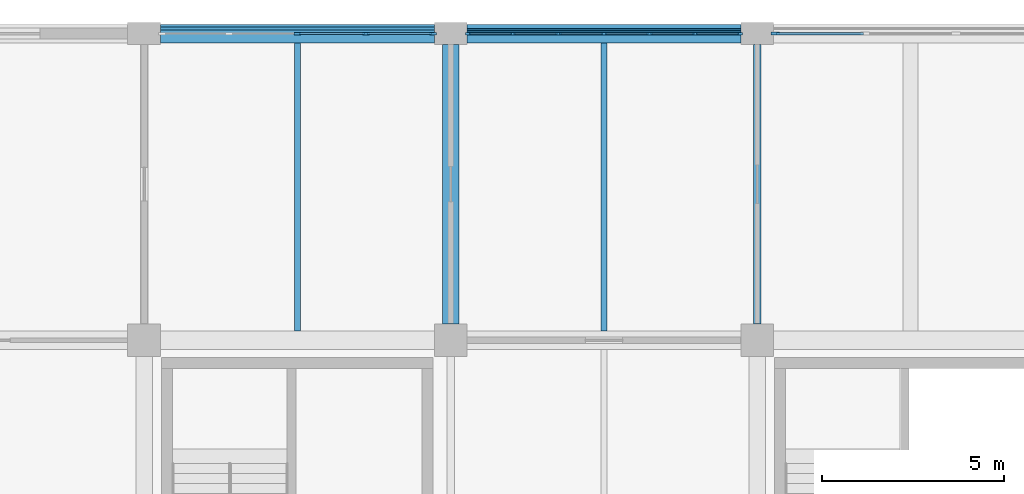
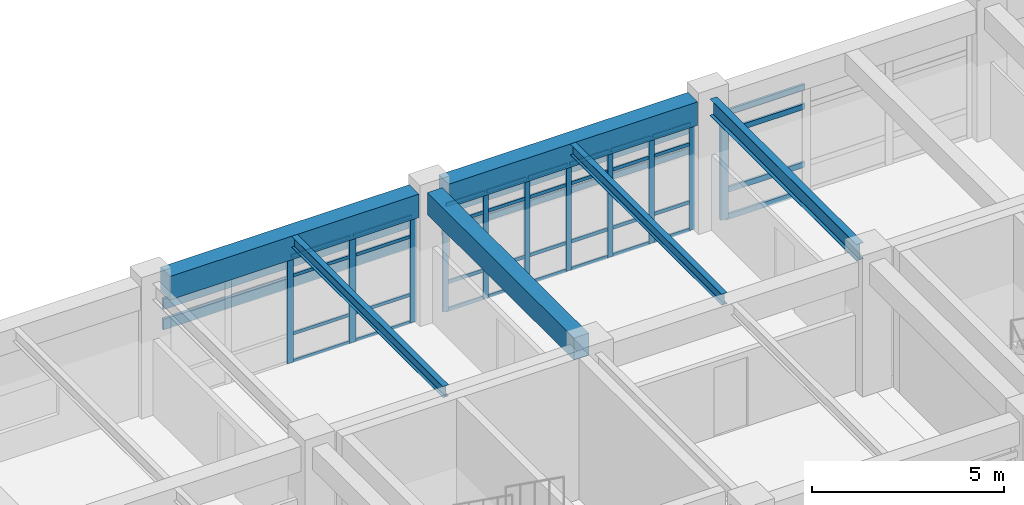
# One storey, part 42 of 99: 51 members, 6 beams, 3 elements without a shape of their own.
"""IFC4 building model written with IfcOpenShell, lengths in metres."""

from ifc_helpers import new_model, si_unit, direction, frame, origin, origin_2d, place, context, subcontext, project, spatial, rectangle, i_section, extrude, material, layer, layer_set, material_profile, profile_set, type_object, element, aggregate, save


model = new_model("IFC4")

# Units and contexts
model_context = context("Model", 3, precision=1e-05, world=origin(), true_north=direction((0.0, 1.0)))
body_context = subcontext(model_context, "Body", "Model", "MODEL_VIEW")
ifc_project = project(units=[si_unit("LENGTHUNIT", "METRE"), si_unit("AREAUNIT", "SQUARE_METRE"), si_unit("VOLUMEUNIT", "CUBIC_METRE"), si_unit("PLANEANGLEUNIT", "RADIAN"), si_unit("MASSUNIT", "GRAM", prefix="KILO")], contexts=[model_context])

# Site, building, storey
site_placement = place(None, origin())
site = spatial("IfcSite", under=ifc_project, at=site_placement, CompositionType="ELEMENT")
building_placement = place(site_placement, origin())
building = spatial("IfcBuilding", under=site, at=building_placement, Name="Porcellanite Civic Hall", CompositionType="ELEMENT")
storey_placement = place(building_placement, frame((0.0, 0.0, 5.760009765625)))
storey = spatial("IfcBuildingStorey", under=building, at=storey_placement, Name="L01", CompositionType="ELEMENT", Elevation=5.760009765625)

# Beams
ifc_material_1 = material(Name="Concrete N50 (50 MPa)", Category="concrete")
ifc_material_profile_1 = material_profile(ifc_material_1, rectangle(XDim=0.449951171875, YDim=0.699951171875, at=origin_2d()), Name="RC-450x700")
ifc_profile_set_1 = profile_set([ifc_material_profile_1], Name="Concrete N50 (50 MPa)")
beam_type_1 = type_object("IfcBeamType", Name="BM-RC700", PredefinedType="BEAM", material=ifc_profile_set_1)
beam_1_placement = place(storey_placement, frame((100.800048828125, 109.6494140625, 3.85009765625), z_axis=(0.0, 1.0, 0.0), x_axis=(-1.0, 0.0, 0.0)))
element("IfcBeam", 1, at=beam_1_placement, inside=storey, type_object=beam_type_1, Name="Beam Y L01 13-14", PredefinedType="BEAM", context=body_context, shape_type="SweptSolid", body=[
    extrude(rectangle(XDim=0.449951171875, YDim=0.699951171875, at=origin_2d()), origin(), (0.0, 0.0, 1.0), 7.651123046875),
])
ifc_material_2 = material(Name="Concrete N50 (50 MPa)", Category="concrete")
ifc_material_profile_2 = material_profile(ifc_material_2, rectangle(XDim=0.5, YDim=0.75, at=origin_2d()), Name="RC-500x750")
ifc_profile_set_2 = profile_set([ifc_material_profile_2], Name="Concrete N50 (50 MPa)")
beam_type_2 = type_object("IfcBeamType", Name="BM-RC750", PredefinedType="SPANDREL", material=ifc_profile_set_2)
for number, where, z_axis, x_axis, name in (
    (2, (92.849609375, 117.60009765625, 3.824951171875), (1.0, 0.0, 0.0), (0.0, 1.0, 0.0), "Beam X L01 12-15"),
    (3, (101.24951171875, 117.60009765625, 3.824951171875), (1.0, 0.0, 0.0), (0.0, 1.0, 0.0), "Beam X L01 13-15"),
):
    element("IfcBeam", number, at=place(storey_placement, frame(where, z_axis=z_axis, x_axis=x_axis)), inside=storey, type_object=beam_type_2, Name=name, PredefinedType="SPANDREL", context=body_context, shape_type="SweptSolid", body=[
        extrude(rectangle(XDim=0.5, YDim=0.75, at=origin_2d()), origin(), (0.0, 0.0, 1.0), 7.5009765625),
    ])

# Curtain wall, member
ifc_material_3 = material(Name="Anodised aluminium and solar laminated glass", Category="aluminium")
ifc_layer_1 = layer(ifc_material_3, 0.179931640625)
ifc_layer_set_1 = layer_set([ifc_layer_1], Name="Anodised aluminium and solar laminated glass")
curtain_wall_type_1 = type_object("IfcCurtainWallType", Name="CW-SYS08", PredefinedType="NOTDEFINED", material=ifc_layer_set_1)
curtain_wall_1_placement = place(storey_placement, origin())
curtain_wall_1 = element("IfcCurtainWall", 4, at=curtain_wall_1_placement, inside=storey, type_object=curtain_wall_type_1, Name="Curtain wall CW-106", PredefinedType="NOTDEFINED")
ifc_material_4 = material(Name="Anodised aluminium 6063-T6", Category="aluminium")
ifc_material_profile_3 = material_profile(ifc_material_4, rectangle(XDim=0.080078125, YDim=0.239990234375, at=origin_2d()), Name="AL-80x240")
ifc_profile_set_3 = profile_set([ifc_material_profile_3], Name="Anodised aluminium 6063-T6")
member_type_1 = type_object("IfcMemberType", Name="CWM-01", PredefinedType="MULLION", material=ifc_profile_set_3)
member_1_placement = place(storey_placement, frame((109.69091796875, 117.60009765625, 0.0), z_axis=(0.0, 0.0, 1.0), x_axis=(0.0, 1.0, 0.0)))
member_1 = element("IfcMember", 5, at=member_1_placement, type_object=member_type_1, Name="CW-106 mullion 1", PredefinedType="MULLION", context=body_context, shape_type="SweptSolid", body=[
    extrude(rectangle(XDim=0.080078125, YDim=0.239990234375, at=origin_2d()), origin(), (0.0, 0.0, 1.0), 3.39990234375),
])

# Curtain wall, members
ifc_material_5 = material(Name="Anodised aluminium and solar laminated glass", Category="aluminium")
ifc_layer_2 = layer(ifc_material_5, 0.179931640625)
ifc_layer_set_2 = layer_set([ifc_layer_2], Name="Anodised aluminium and solar laminated glass")
curtain_wall_type_2 = type_object("IfcCurtainWallType", Name="CW-SYS04", PredefinedType="NOTDEFINED", material=ifc_layer_set_2)
curtain_wall_2_placement = place(storey_placement, origin())
curtain_wall_2 = element("IfcCurtainWall", 6, at=curtain_wall_2_placement, inside=storey, type_object=curtain_wall_type_2, Name="Curtain wall CW-097", PredefinedType="NOTDEFINED")
ifc_material_6 = material(Name="Anodised aluminium 6063-T6", Category="aluminium")
ifc_material_profile_4 = material_profile(ifc_material_6, rectangle(XDim=0.074951171875, YDim=0.18994140625, at=origin_2d()), Name="AL-75x190")
ifc_profile_set_4 = profile_set([ifc_material_profile_4], Name="Anodised aluminium 6063-T6")
member_type_2 = type_object("IfcMemberType", Name="CWM-04", PredefinedType="MULLION", material=ifc_profile_set_4)
member_2_placement = place(storey_placement, frame((96.60009765625, 117.60009765625, 0.0), z_axis=(0.0, 0.0, 1.0), x_axis=(0.0, 1.0, 0.0)))
member_2 = element("IfcMember", 7, at=member_2_placement, type_object=member_type_2, Name="CW-097 mullion 3", PredefinedType="MULLION", context=body_context, shape_type="SweptSolid", body=[
    extrude(rectangle(XDim=0.074951171875, YDim=0.18994140625, at=origin_2d()), origin(), (0.0, 0.0, 1.0), 3.39990234375),
])
member_3_placement = place(storey_placement, frame((98.474609375, 117.60009765625, 0.0), z_axis=(0.0, 0.0, 1.0), x_axis=(0.0, 1.0, 0.0)))
member_3 = element("IfcMember", 8, at=member_3_placement, type_object=member_type_2, Name="CW-097 mullion 4", PredefinedType="MULLION", context=body_context, shape_type="SweptSolid", body=[
    extrude(rectangle(XDim=0.074951171875, YDim=0.18994140625, at=origin_2d()), origin(), (0.0, 0.0, 1.0), 3.39990234375),
])
member_4_placement = place(storey_placement, frame((100.3115234375, 117.60009765625, 0.0), z_axis=(0.0, 0.0, 1.0), x_axis=(0.0, 1.0, 0.0)))
member_4 = element("IfcMember", 9, at=member_4_placement, type_object=member_type_2, Name="CW-097 mullion 5", PredefinedType="MULLION", context=body_context, shape_type="SweptSolid", body=[
    extrude(rectangle(XDim=0.074951171875, YDim=0.18994140625, at=origin_2d()), origin(), (0.0, 0.0, 1.0), 3.39990234375),
])

ifc_material_7 = material(Name="Anodised aluminium and solar laminated glass", Category="aluminium")
ifc_layer_3 = layer(ifc_material_7, 0.179931640625)
ifc_layer_set_3 = layer_set([ifc_layer_3], Name="Anodised aluminium and solar laminated glass")
curtain_wall_type_3 = type_object("IfcCurtainWallType", Name="CW-SYS07", PredefinedType="NOTDEFINED", material=ifc_layer_set_3)
curtain_wall_3_placement = place(storey_placement, origin())
curtain_wall_3 = element("IfcCurtainWall", 10, at=curtain_wall_3_placement, inside=storey, type_object=curtain_wall_type_3, Name="Curtain wall CW-105", PredefinedType="NOTDEFINED")
ifc_material_8 = material(Name="Anodised aluminium 6063-T6", Category="aluminium")
ifc_material_profile_5 = material_profile(ifc_material_8, rectangle(XDim=0.06005859375, YDim=0.159912109375, at=origin_2d()), Name="AL-60x160")
ifc_profile_set_5 = profile_set([ifc_material_profile_5], Name="Anodised aluminium 6063-T6")
member_type_3 = type_object("IfcMemberType", Name="CWM-07", PredefinedType="MULLION", material=ifc_profile_set_5)
member_5_placement = place(storey_placement, frame((101.281005859375, 117.60009765625, 0.0), z_axis=(0.0, 0.0, 1.0), x_axis=(0.0, 1.0, 0.0)))
member_5 = element("IfcMember", 11, at=member_5_placement, type_object=member_type_3, Name="CW-105 mullion 1", PredefinedType="MULLION", context=body_context, shape_type="SweptSolid", body=[
    extrude(rectangle(XDim=0.06005859375, YDim=0.159912109375, at=origin_2d()), origin(), (0.0, 0.0, 1.0), 3.39990234375),
])
member_6_placement = place(storey_placement, frame((102.500732421875, 117.60009765625, 0.0), z_axis=(0.0, 0.0, 1.0), x_axis=(0.0, 1.0, 0.0)))
member_6 = element("IfcMember", 12, at=member_6_placement, type_object=member_type_3, Name="CW-105 mullion 2", PredefinedType="MULLION", context=body_context, shape_type="SweptSolid", body=[
    extrude(rectangle(XDim=0.06005859375, YDim=0.159912109375, at=origin_2d()), origin(), (0.0, 0.0, 1.0), 3.39990234375),
])
member_7_placement = place(storey_placement, frame((103.750244140625, 117.60009765625, 0.0), z_axis=(0.0, 0.0, 1.0), x_axis=(0.0, 1.0, 0.0)))
member_7 = element("IfcMember", 13, at=member_7_placement, type_object=member_type_3, Name="CW-105 mullion 3", PredefinedType="MULLION", context=body_context, shape_type="SweptSolid", body=[
    extrude(rectangle(XDim=0.06005859375, YDim=0.159912109375, at=origin_2d()), origin(), (0.0, 0.0, 1.0), 3.39990234375),
])
member_8_placement = place(storey_placement, frame((105.0, 117.60009765625, 0.0), z_axis=(0.0, 0.0, 1.0), x_axis=(0.0, 1.0, 0.0)))
member_8 = element("IfcMember", 14, at=member_8_placement, type_object=member_type_3, Name="CW-105 mullion 4", PredefinedType="MULLION", context=body_context, shape_type="SweptSolid", body=[
    extrude(rectangle(XDim=0.06005859375, YDim=0.159912109375, at=origin_2d()), origin(), (0.0, 0.0, 1.0), 3.39990234375),
])
member_9_placement = place(storey_placement, frame((106.249755859375, 117.60009765625, 0.0), z_axis=(0.0, 0.0, 1.0), x_axis=(0.0, 1.0, 0.0)))
member_9 = element("IfcMember", 15, at=member_9_placement, type_object=member_type_3, Name="CW-105 mullion 5", PredefinedType="MULLION", context=body_context, shape_type="SweptSolid", body=[
    extrude(rectangle(XDim=0.06005859375, YDim=0.159912109375, at=origin_2d()), origin(), (0.0, 0.0, 1.0), 3.39990234375),
])
member_10_placement = place(storey_placement, frame((107.499267578125, 117.60009765625, 0.0), z_axis=(0.0, 0.0, 1.0), x_axis=(0.0, 1.0, 0.0)))
member_10 = element("IfcMember", 16, at=member_10_placement, type_object=member_type_3, Name="CW-105 mullion 6", PredefinedType="MULLION", context=body_context, shape_type="SweptSolid", body=[
    extrude(rectangle(XDim=0.06005859375, YDim=0.159912109375, at=origin_2d()), origin(), (0.0, 0.0, 1.0), 3.39990234375),
])
member_11_placement = place(storey_placement, frame((108.718994140625, 117.60009765625, 0.0), z_axis=(0.0, 0.0, 1.0), x_axis=(0.0, 1.0, 0.0)))
member_11 = element("IfcMember", 17, at=member_11_placement, type_object=member_type_3, Name="CW-105 mullion 7", PredefinedType="MULLION", context=body_context, shape_type="SweptSolid", body=[
    extrude(rectangle(XDim=0.06005859375, YDim=0.159912109375, at=origin_2d()), origin(), (0.0, 0.0, 1.0), 3.39990234375),
])

# Member
ifc_material_9 = material(Name="Anodised aluminium 6063-T6", Category="aluminium")
ifc_material_profile_6 = material_profile(ifc_material_9, rectangle(XDim=0.070068359375, YDim=0.175048828125, at=origin_2d()), Name="AL-70x175")
ifc_profile_set_6 = profile_set([ifc_material_profile_6], Name="Anodised aluminium 6063-T6")
member_type_4 = type_object("IfcMemberType", Name="CWT-01", PredefinedType="USERDEFINED", material=ifc_profile_set_6)
member_12_placement = place(storey_placement, frame((109.73095703125, 117.60009765625, 0.034912109375), z_axis=(1.0, 0.0, 0.0), x_axis=(0.0, 1.0, 0.0)))
member_12 = element("IfcMember", 18, at=member_12_placement, type_object=member_type_4, Name="CW-106 transom 1.1", ObjectType="TRANSOM", PredefinedType="USERDEFINED", context=body_context, shape_type="SweptSolid", body=[
    extrude(rectangle(XDim=0.070068359375, YDim=0.175048828125, at=origin_2d()), origin(), (0.0, 0.0, 1.0), 2.37939453125),
])

member_13_placement = place(storey_placement, frame((109.73095703125, 117.60009765625, 0.89990234375), z_axis=(1.0, 0.0, 0.0), x_axis=(0.0, 1.0, 0.0)))
member_13 = element("IfcMember", 19, at=member_13_placement, type_object=member_type_4, Name="CW-106 transom 1.2", ObjectType="TRANSOM", PredefinedType="USERDEFINED", context=body_context, shape_type="SweptSolid", body=[
    extrude(rectangle(XDim=0.070068359375, YDim=0.175048828125, at=origin_2d()), origin(), (0.0, 0.0, 1.0), 2.37939453125),
])

member_14_placement = place(storey_placement, frame((109.73095703125, 117.60009765625, 2.75), z_axis=(1.0, 0.0, 0.0), x_axis=(0.0, 1.0, 0.0)))
member_14 = element("IfcMember", 20, at=member_14_placement, type_object=member_type_4, Name="CW-106 transom 1.3", ObjectType="TRANSOM", PredefinedType="USERDEFINED", context=body_context, shape_type="SweptSolid", body=[
    extrude(rectangle(XDim=0.070068359375, YDim=0.175048828125, at=origin_2d()), origin(), (0.0, 0.0, 1.0), 2.37939453125),
])

member_15_placement = place(storey_placement, frame((109.73095703125, 117.60009765625, 3.364990234375), z_axis=(1.0, 0.0, 0.0), x_axis=(0.0, 1.0, 0.0)))
member_15 = element("IfcMember", 21, at=member_15_placement, type_object=member_type_4, Name="CW-106 transom 1.4", ObjectType="TRANSOM", PredefinedType="USERDEFINED", context=body_context, shape_type="SweptSolid", body=[
    extrude(rectangle(XDim=0.070068359375, YDim=0.175048828125, at=origin_2d()), origin(), (0.0, 0.0, 1.0), 2.37939453125),
])

aggregate(curtain_wall_1, [member_1, member_12, member_13, member_14, member_15])

ifc_material_10 = material(Name="Anodised aluminium 6063-T6", Category="aluminium")
ifc_material_profile_7 = material_profile(ifc_material_10, rectangle(XDim=0.054931640625, YDim=0.10009765625, at=origin_2d()), Name="AL-55x100")
ifc_profile_set_7 = profile_set([ifc_material_profile_7], Name="Anodised aluminium 6063-T6")
member_type_5 = type_object("IfcMemberType", Name="CWT-05", PredefinedType="USERDEFINED", material=ifc_profile_set_7)
member_16_placement = place(storey_placement, frame((96.637451171875, 117.60009765625, 0.027587890625), z_axis=(1.0, 0.0, 0.0), x_axis=(0.0, 1.0, 0.0)))
member_16 = element("IfcMember", 22, at=member_16_placement, type_object=member_type_5, Name="CW-097 transom 3.1", ObjectType="TRANSOM", PredefinedType="USERDEFINED", context=body_context, shape_type="SweptSolid", body=[
    extrude(rectangle(XDim=0.054931640625, YDim=0.10009765625, at=origin_2d()), origin(), (0.0, 0.0, 1.0), 1.799560546875),
])

member_17_placement = place(storey_placement, frame((96.637451171875, 117.60009765625, 0.89990234375), z_axis=(1.0, 0.0, 0.0), x_axis=(0.0, 1.0, 0.0)))
member_17 = element("IfcMember", 23, at=member_17_placement, type_object=member_type_5, Name="CW-097 transom 3.2", ObjectType="TRANSOM", PredefinedType="USERDEFINED", context=body_context, shape_type="SweptSolid", body=[
    extrude(rectangle(XDim=0.054931640625, YDim=0.10009765625, at=origin_2d()), origin(), (0.0, 0.0, 1.0), 1.799560546875),
])

member_18_placement = place(storey_placement, frame((96.637451171875, 117.60009765625, 2.75), z_axis=(1.0, 0.0, 0.0), x_axis=(0.0, 1.0, 0.0)))
member_18 = element("IfcMember", 24, at=member_18_placement, type_object=member_type_5, Name="CW-097 transom 3.3", ObjectType="TRANSOM", PredefinedType="USERDEFINED", context=body_context, shape_type="SweptSolid", body=[
    extrude(rectangle(XDim=0.054931640625, YDim=0.10009765625, at=origin_2d()), origin(), (0.0, 0.0, 1.0), 1.799560546875),
])

member_19_placement = place(storey_placement, frame((96.637451171875, 117.60009765625, 3.37255859375), z_axis=(1.0, 0.0, 0.0), x_axis=(0.0, 1.0, 0.0)))
member_19 = element("IfcMember", 25, at=member_19_placement, type_object=member_type_5, Name="CW-097 transom 3.4", ObjectType="TRANSOM", PredefinedType="USERDEFINED", context=body_context, shape_type="SweptSolid", body=[
    extrude(rectangle(XDim=0.054931640625, YDim=0.10009765625, at=origin_2d()), origin(), (0.0, 0.0, 1.0), 1.799560546875),
])

member_20_placement = place(storey_placement, frame((98.511962890625, 117.60009765625, 0.027587890625), z_axis=(1.0, 0.0, 0.0), x_axis=(0.0, 1.0, 0.0)))
member_20 = element("IfcMember", 26, at=member_20_placement, type_object=member_type_5, Name="CW-097 transom 4.1", ObjectType="TRANSOM", PredefinedType="USERDEFINED", context=body_context, shape_type="SweptSolid", body=[
    extrude(rectangle(XDim=0.054931640625, YDim=0.10009765625, at=origin_2d()), origin(), (0.0, 0.0, 1.0), 1.761962890625),
])

member_21_placement = place(storey_placement, frame((98.511962890625, 117.60009765625, 0.89990234375), z_axis=(1.0, 0.0, 0.0), x_axis=(0.0, 1.0, 0.0)))
member_21 = element("IfcMember", 27, at=member_21_placement, type_object=member_type_5, Name="CW-097 transom 4.2", ObjectType="TRANSOM", PredefinedType="USERDEFINED", context=body_context, shape_type="SweptSolid", body=[
    extrude(rectangle(XDim=0.054931640625, YDim=0.10009765625, at=origin_2d()), origin(), (0.0, 0.0, 1.0), 1.761962890625),
])

member_22_placement = place(storey_placement, frame((98.511962890625, 117.60009765625, 2.75), z_axis=(1.0, 0.0, 0.0), x_axis=(0.0, 1.0, 0.0)))
member_22 = element("IfcMember", 28, at=member_22_placement, type_object=member_type_5, Name="CW-097 transom 4.3", ObjectType="TRANSOM", PredefinedType="USERDEFINED", context=body_context, shape_type="SweptSolid", body=[
    extrude(rectangle(XDim=0.054931640625, YDim=0.10009765625, at=origin_2d()), origin(), (0.0, 0.0, 1.0), 1.761962890625),
])

member_23_placement = place(storey_placement, frame((98.511962890625, 117.60009765625, 3.37255859375), z_axis=(1.0, 0.0, 0.0), x_axis=(0.0, 1.0, 0.0)))
member_23 = element("IfcMember", 29, at=member_23_placement, type_object=member_type_5, Name="CW-097 transom 4.4", ObjectType="TRANSOM", PredefinedType="USERDEFINED", context=body_context, shape_type="SweptSolid", body=[
    extrude(rectangle(XDim=0.054931640625, YDim=0.10009765625, at=origin_2d()), origin(), (0.0, 0.0, 1.0), 1.761962890625),
])

aggregate(curtain_wall_2, [member_2, member_3, member_4, member_16, member_17, member_18, member_19, member_20, member_21, member_22, member_23])

ifc_material_11 = material(Name="Anodised aluminium 6063-T6", Category="aluminium")
ifc_material_profile_8 = material_profile(ifc_material_11, rectangle(XDim=0.050048828125, YDim=0.110107421875, at=origin_2d()), Name="AL-50x110")
ifc_profile_set_8 = profile_set([ifc_material_profile_8], Name="Anodised aluminium 6063-T6")
member_type_6 = type_object("IfcMemberType", Name="CWT-07", PredefinedType="USERDEFINED", material=ifc_profile_set_8)
member_24_placement = place(storey_placement, frame((101.31103515625, 117.60009765625, 0.02490234375), z_axis=(1.0, 0.0, 0.0), x_axis=(0.0, 1.0, 0.0)))
member_24 = element("IfcMember", 30, at=member_24_placement, type_object=member_type_6, Name="CW-105 transom 1.1", ObjectType="TRANSOM", PredefinedType="USERDEFINED", context=body_context, shape_type="SweptSolid", body=[
    extrude(rectangle(XDim=0.050048828125, YDim=0.110107421875, at=origin_2d()), origin(), (0.0, 0.0, 1.0), 1.15966796875),
])

member_25_placement = place(storey_placement, frame((101.31103515625, 117.60009765625, 0.89990234375), z_axis=(1.0, 0.0, 0.0), x_axis=(0.0, 1.0, 0.0)))
member_25 = element("IfcMember", 31, at=member_25_placement, type_object=member_type_6, Name="CW-105 transom 1.2", ObjectType="TRANSOM", PredefinedType="USERDEFINED", context=body_context, shape_type="SweptSolid", body=[
    extrude(rectangle(XDim=0.050048828125, YDim=0.110107421875, at=origin_2d()), origin(), (0.0, 0.0, 1.0), 1.15966796875),
])

member_26_placement = place(storey_placement, frame((101.31103515625, 117.60009765625, 2.75), z_axis=(1.0, 0.0, 0.0), x_axis=(0.0, 1.0, 0.0)))
member_26 = element("IfcMember", 32, at=member_26_placement, type_object=member_type_6, Name="CW-105 transom 1.3", ObjectType="TRANSOM", PredefinedType="USERDEFINED", context=body_context, shape_type="SweptSolid", body=[
    extrude(rectangle(XDim=0.050048828125, YDim=0.110107421875, at=origin_2d()), origin(), (0.0, 0.0, 1.0), 1.15966796875),
])

member_27_placement = place(storey_placement, frame((101.31103515625, 117.60009765625, 3.375), z_axis=(1.0, 0.0, 0.0), x_axis=(0.0, 1.0, 0.0)))
member_27 = element("IfcMember", 33, at=member_27_placement, type_object=member_type_6, Name="CW-105 transom 1.4", ObjectType="TRANSOM", PredefinedType="USERDEFINED", context=body_context, shape_type="SweptSolid", body=[
    extrude(rectangle(XDim=0.050048828125, YDim=0.110107421875, at=origin_2d()), origin(), (0.0, 0.0, 1.0), 1.15966796875),
])

member_28_placement = place(storey_placement, frame((102.53076171875, 117.60009765625, 0.02490234375), z_axis=(1.0, 0.0, 0.0), x_axis=(0.0, 1.0, 0.0)))
member_28 = element("IfcMember", 34, at=member_28_placement, type_object=member_type_6, Name="CW-105 transom 2.1", ObjectType="TRANSOM", PredefinedType="USERDEFINED", context=body_context, shape_type="SweptSolid", body=[
    extrude(rectangle(XDim=0.050048828125, YDim=0.110107421875, at=origin_2d()), origin(), (0.0, 0.0, 1.0), 1.189453125),
])

member_29_placement = place(storey_placement, frame((102.53076171875, 117.60009765625, 0.89990234375), z_axis=(1.0, 0.0, 0.0), x_axis=(0.0, 1.0, 0.0)))
member_29 = element("IfcMember", 35, at=member_29_placement, type_object=member_type_6, Name="CW-105 transom 2.2", ObjectType="TRANSOM", PredefinedType="USERDEFINED", context=body_context, shape_type="SweptSolid", body=[
    extrude(rectangle(XDim=0.050048828125, YDim=0.110107421875, at=origin_2d()), origin(), (0.0, 0.0, 1.0), 1.189453125),
])

member_30_placement = place(storey_placement, frame((102.53076171875, 117.60009765625, 2.75), z_axis=(1.0, 0.0, 0.0), x_axis=(0.0, 1.0, 0.0)))
member_30 = element("IfcMember", 36, at=member_30_placement, type_object=member_type_6, Name="CW-105 transom 2.3", ObjectType="TRANSOM", PredefinedType="USERDEFINED", context=body_context, shape_type="SweptSolid", body=[
    extrude(rectangle(XDim=0.050048828125, YDim=0.110107421875, at=origin_2d()), origin(), (0.0, 0.0, 1.0), 1.189453125),
])

member_31_placement = place(storey_placement, frame((102.53076171875, 117.60009765625, 3.375), z_axis=(1.0, 0.0, 0.0), x_axis=(0.0, 1.0, 0.0)))
member_31 = element("IfcMember", 37, at=member_31_placement, type_object=member_type_6, Name="CW-105 transom 2.4", ObjectType="TRANSOM", PredefinedType="USERDEFINED", context=body_context, shape_type="SweptSolid", body=[
    extrude(rectangle(XDim=0.050048828125, YDim=0.110107421875, at=origin_2d()), origin(), (0.0, 0.0, 1.0), 1.189453125),
])

member_32_placement = place(storey_placement, frame((103.7802734375, 117.60009765625, 0.02490234375), z_axis=(1.0, 0.0, 0.0), x_axis=(0.0, 1.0, 0.0)))
member_32 = element("IfcMember", 38, at=member_32_placement, type_object=member_type_6, Name="CW-105 transom 3.1", ObjectType="TRANSOM", PredefinedType="USERDEFINED", context=body_context, shape_type="SweptSolid", body=[
    extrude(rectangle(XDim=0.050048828125, YDim=0.110107421875, at=origin_2d()), origin(), (0.0, 0.0, 1.0), 1.189697265625),
])

member_33_placement = place(storey_placement, frame((103.7802734375, 117.60009765625, 0.89990234375), z_axis=(1.0, 0.0, 0.0), x_axis=(0.0, 1.0, 0.0)))
member_33 = element("IfcMember", 39, at=member_33_placement, type_object=member_type_6, Name="CW-105 transom 3.2", ObjectType="TRANSOM", PredefinedType="USERDEFINED", context=body_context, shape_type="SweptSolid", body=[
    extrude(rectangle(XDim=0.050048828125, YDim=0.110107421875, at=origin_2d()), origin(), (0.0, 0.0, 1.0), 1.189697265625),
])

member_34_placement = place(storey_placement, frame((103.7802734375, 117.60009765625, 2.75), z_axis=(1.0, 0.0, 0.0), x_axis=(0.0, 1.0, 0.0)))
member_34 = element("IfcMember", 40, at=member_34_placement, type_object=member_type_6, Name="CW-105 transom 3.3", ObjectType="TRANSOM", PredefinedType="USERDEFINED", context=body_context, shape_type="SweptSolid", body=[
    extrude(rectangle(XDim=0.050048828125, YDim=0.110107421875, at=origin_2d()), origin(), (0.0, 0.0, 1.0), 1.189697265625),
])

member_35_placement = place(storey_placement, frame((103.7802734375, 117.60009765625, 3.375), z_axis=(1.0, 0.0, 0.0), x_axis=(0.0, 1.0, 0.0)))
member_35 = element("IfcMember", 41, at=member_35_placement, type_object=member_type_6, Name="CW-105 transom 3.4", ObjectType="TRANSOM", PredefinedType="USERDEFINED", context=body_context, shape_type="SweptSolid", body=[
    extrude(rectangle(XDim=0.050048828125, YDim=0.110107421875, at=origin_2d()), origin(), (0.0, 0.0, 1.0), 1.189697265625),
])

member_36_placement = place(storey_placement, frame((105.030029296875, 117.60009765625, 0.02490234375), z_axis=(1.0, 0.0, 0.0), x_axis=(0.0, 1.0, 0.0)))
member_36 = element("IfcMember", 42, at=member_36_placement, type_object=member_type_6, Name="CW-105 transom 4.1", ObjectType="TRANSOM", PredefinedType="USERDEFINED", context=body_context, shape_type="SweptSolid", body=[
    extrude(rectangle(XDim=0.050048828125, YDim=0.110107421875, at=origin_2d()), origin(), (0.0, 0.0, 1.0), 1.189697265625),
])

member_37_placement = place(storey_placement, frame((105.030029296875, 117.60009765625, 0.89990234375), z_axis=(1.0, 0.0, 0.0), x_axis=(0.0, 1.0, 0.0)))
member_37 = element("IfcMember", 43, at=member_37_placement, type_object=member_type_6, Name="CW-105 transom 4.2", ObjectType="TRANSOM", PredefinedType="USERDEFINED", context=body_context, shape_type="SweptSolid", body=[
    extrude(rectangle(XDim=0.050048828125, YDim=0.110107421875, at=origin_2d()), origin(), (0.0, 0.0, 1.0), 1.189697265625),
])

member_38_placement = place(storey_placement, frame((105.030029296875, 117.60009765625, 2.75), z_axis=(1.0, 0.0, 0.0), x_axis=(0.0, 1.0, 0.0)))
member_38 = element("IfcMember", 44, at=member_38_placement, type_object=member_type_6, Name="CW-105 transom 4.3", ObjectType="TRANSOM", PredefinedType="USERDEFINED", context=body_context, shape_type="SweptSolid", body=[
    extrude(rectangle(XDim=0.050048828125, YDim=0.110107421875, at=origin_2d()), origin(), (0.0, 0.0, 1.0), 1.189697265625),
])

member_39_placement = place(storey_placement, frame((105.030029296875, 117.60009765625, 3.375), z_axis=(1.0, 0.0, 0.0), x_axis=(0.0, 1.0, 0.0)))
member_39 = element("IfcMember", 45, at=member_39_placement, type_object=member_type_6, Name="CW-105 transom 4.4", ObjectType="TRANSOM", PredefinedType="USERDEFINED", context=body_context, shape_type="SweptSolid", body=[
    extrude(rectangle(XDim=0.050048828125, YDim=0.110107421875, at=origin_2d()), origin(), (0.0, 0.0, 1.0), 1.189697265625),
])

member_40_placement = place(storey_placement, frame((106.27978515625, 117.60009765625, 0.02490234375), z_axis=(1.0, 0.0, 0.0), x_axis=(0.0, 1.0, 0.0)))
member_40 = element("IfcMember", 46, at=member_40_placement, type_object=member_type_6, Name="CW-105 transom 5.1", ObjectType="TRANSOM", PredefinedType="USERDEFINED", context=body_context, shape_type="SweptSolid", body=[
    extrude(rectangle(XDim=0.050048828125, YDim=0.110107421875, at=origin_2d()), origin(), (0.0, 0.0, 1.0), 1.189453125),
])

member_41_placement = place(storey_placement, frame((106.27978515625, 117.60009765625, 0.89990234375), z_axis=(1.0, 0.0, 0.0), x_axis=(0.0, 1.0, 0.0)))
member_41 = element("IfcMember", 47, at=member_41_placement, type_object=member_type_6, Name="CW-105 transom 5.2", ObjectType="TRANSOM", PredefinedType="USERDEFINED", context=body_context, shape_type="SweptSolid", body=[
    extrude(rectangle(XDim=0.050048828125, YDim=0.110107421875, at=origin_2d()), origin(), (0.0, 0.0, 1.0), 1.189453125),
])

member_42_placement = place(storey_placement, frame((106.27978515625, 117.60009765625, 2.75), z_axis=(1.0, 0.0, 0.0), x_axis=(0.0, 1.0, 0.0)))
member_42 = element("IfcMember", 48, at=member_42_placement, type_object=member_type_6, Name="CW-105 transom 5.3", ObjectType="TRANSOM", PredefinedType="USERDEFINED", context=body_context, shape_type="SweptSolid", body=[
    extrude(rectangle(XDim=0.050048828125, YDim=0.110107421875, at=origin_2d()), origin(), (0.0, 0.0, 1.0), 1.189453125),
])

member_43_placement = place(storey_placement, frame((106.27978515625, 117.60009765625, 3.375), z_axis=(1.0, 0.0, 0.0), x_axis=(0.0, 1.0, 0.0)))
member_43 = element("IfcMember", 49, at=member_43_placement, type_object=member_type_6, Name="CW-105 transom 5.4", ObjectType="TRANSOM", PredefinedType="USERDEFINED", context=body_context, shape_type="SweptSolid", body=[
    extrude(rectangle(XDim=0.050048828125, YDim=0.110107421875, at=origin_2d()), origin(), (0.0, 0.0, 1.0), 1.189453125),
])

member_44_placement = place(storey_placement, frame((107.529296875, 117.60009765625, 0.02490234375), z_axis=(1.0, 0.0, 0.0), x_axis=(0.0, 1.0, 0.0)))
member_44 = element("IfcMember", 50, at=member_44_placement, type_object=member_type_6, Name="CW-105 transom 6.1", ObjectType="TRANSOM", PredefinedType="USERDEFINED", context=body_context, shape_type="SweptSolid", body=[
    extrude(rectangle(XDim=0.050048828125, YDim=0.110107421875, at=origin_2d()), origin(), (0.0, 0.0, 1.0), 1.15966796875),
])

member_45_placement = place(storey_placement, frame((107.529296875, 117.60009765625, 0.89990234375), z_axis=(1.0, 0.0, 0.0), x_axis=(0.0, 1.0, 0.0)))
member_45 = element("IfcMember", 51, at=member_45_placement, type_object=member_type_6, Name="CW-105 transom 6.2", ObjectType="TRANSOM", PredefinedType="USERDEFINED", context=body_context, shape_type="SweptSolid", body=[
    extrude(rectangle(XDim=0.050048828125, YDim=0.110107421875, at=origin_2d()), origin(), (0.0, 0.0, 1.0), 1.15966796875),
])

member_46_placement = place(storey_placement, frame((107.529296875, 117.60009765625, 2.75), z_axis=(1.0, 0.0, 0.0), x_axis=(0.0, 1.0, 0.0)))
member_46 = element("IfcMember", 52, at=member_46_placement, type_object=member_type_6, Name="CW-105 transom 6.3", ObjectType="TRANSOM", PredefinedType="USERDEFINED", context=body_context, shape_type="SweptSolid", body=[
    extrude(rectangle(XDim=0.050048828125, YDim=0.110107421875, at=origin_2d()), origin(), (0.0, 0.0, 1.0), 1.15966796875),
])

member_47_placement = place(storey_placement, frame((107.529296875, 117.60009765625, 3.375), z_axis=(1.0, 0.0, 0.0), x_axis=(0.0, 1.0, 0.0)))
member_47 = element("IfcMember", 53, at=member_47_placement, type_object=member_type_6, Name="CW-105 transom 6.4", ObjectType="TRANSOM", PredefinedType="USERDEFINED", context=body_context, shape_type="SweptSolid", body=[
    extrude(rectangle(XDim=0.050048828125, YDim=0.110107421875, at=origin_2d()), origin(), (0.0, 0.0, 1.0), 1.15966796875),
])

aggregate(curtain_wall_3, [member_5, member_6, member_7, member_8, member_9, member_10, member_11, member_24, member_25, member_26, member_27, member_28, member_29, member_30, member_31, member_32, member_33, member_34, member_35, member_36, member_37, member_38, member_39, member_40, member_41, member_42, member_43, member_44, member_45, member_46, member_47])

# Beams
ifc_material_12 = material(Name="Steel Grade 350", Category="steel")
ifc_material_profile_9 = material_profile(ifc_material_12, i_section(OverallWidth=0.1708984375, OverallDepth=0.35595703125, WebThickness=0.00732421875, FlangeThickness=0.011474609375, FilletRadius=0.011474609375, at=origin_2d()), Name="360UB50.7")
ifc_profile_set_9 = profile_set([ifc_material_profile_9], Name="Steel Grade 350")
beam_type_3 = type_object("IfcBeamType", Name="JST-360UB51", PredefinedType="JOIST", material=ifc_profile_set_9)
beam_2_placement = place(storey_placement, frame((105.0, 109.449462890625, 4.02197265625), z_axis=(0.0, 1.0, 0.0), x_axis=(-1.0, 0.0, 0.0)))
element("IfcBeam", 54, at=beam_2_placement, inside=storey, type_object=beam_type_3, Name="Secondary joist L01 13-14", PredefinedType="JOIST", context=body_context, shape_type="SweptSolid", body=[
    extrude(i_section(OverallWidth=0.1708984375, OverallDepth=0.35595703125, WebThickness=0.00732421875, FlangeThickness=0.011474609375, FilletRadius=0.011474609375, at=origin_2d()), origin(), (0.0, 0.0, 1.0), 7.901123046875),
])
ifc_material_13 = material(Name="Steel Grade 350", Category="steel")
ifc_material_profile_10 = material_profile(ifc_material_13, i_section(OverallWidth=0.172119140625, OverallDepth=0.35888671875, WebThickness=0.008056640625, FlangeThickness=0.012939453125, FilletRadius=0.011474609375, at=origin_2d()), Name="360UB56.7")
ifc_profile_set_10 = profile_set([ifc_material_profile_10], Name="Steel Grade 350")
beam_type_4 = type_object("IfcBeamType", Name="JST-360UB57", PredefinedType="JOIST", material=ifc_profile_set_10)
beam_3_placement = place(storey_placement, frame((96.60009765625, 109.449462890625, 4.0205078125), z_axis=(0.0, 1.0, 0.0), x_axis=(-1.0, 0.0, 0.0)))
element("IfcBeam", 55, at=beam_3_placement, inside=storey, type_object=beam_type_4, Name="Secondary joist L01 12-14", PredefinedType="JOIST", context=body_context, shape_type="SweptSolid", body=[
    extrude(i_section(OverallWidth=0.172119140625, OverallDepth=0.35888671875, WebThickness=0.008056640625, FlangeThickness=0.012939453125, FilletRadius=0.011474609375, at=origin_2d()), origin(), (0.0, 0.0, 1.0), 7.901123046875),
])

# Members
ifc_material_14 = material(Name="Fluoropolymer bauxite-red aluminium 6063-T6", Category="aluminium")
ifc_material_profile_11 = material_profile(ifc_material_14, rectangle(XDim=0.0849609375, YDim=0.340087890625, at=origin_2d()), Name="AL-85x340")
ifc_profile_set_11 = profile_set([ifc_material_profile_11], Name="Fluoropolymer bauxite-red aluminium 6063-T6")
member_type_7 = type_object("IfcMemberType", Name="LV-BLD02", PredefinedType="USERDEFINED", material=ifc_profile_set_11)
for number, where, z_axis, x_axis, name in (
    (56, (92.849609375, 117.739501953125, 3.10009765625), (1.0, 0.0, 0.0), (0.0, 1.0, 0.0), "Cyclone sunshade louvre L01 N 11-13 1"),
    (57, (92.849609375, 117.739501953125, 2.449951171875), (1.0, 0.0, 0.0), (0.0, 1.0, 0.0), "Cyclone sunshade louvre L01 N 11-13 2"),
):
    element("IfcMember", number, at=place(storey_placement, frame(where, z_axis=z_axis, x_axis=x_axis)), inside=storey, type_object=member_type_7, Name=name, ObjectType="LOUVRE BLADE", PredefinedType="USERDEFINED", context=body_context, shape_type="SweptSolid", body=[
        extrude(rectangle(XDim=0.0849609375, YDim=0.340087890625, at=origin_2d()), origin(), (0.0, 0.0, 1.0), 7.5009765625),
    ])
ifc_material_15 = material(Name="Fluoropolymer bauxite-red aluminium 6063-T6", Category="aluminium")
ifc_material_profile_12 = material_profile(ifc_material_15, rectangle(XDim=0.050048828125, YDim=0.199951171875, at=origin_2d()), Name="AL-50x200")
ifc_profile_set_12 = profile_set([ifc_material_profile_12], Name="Fluoropolymer bauxite-red aluminium 6063-T6")
member_type_8 = type_object("IfcMemberType", Name="LV-BLD10", PredefinedType="USERDEFINED", material=ifc_profile_set_12)
for number, where, z_axis, x_axis, name in (
    (58, (101.24951171875, 117.70703125, 3.10009765625), (1.0, 0.0, 0.0), (0.0, 1.0, 0.0), "Cyclone sunshade louvre L01 N 12-13 1"),
    (59, (101.24951171875, 117.70703125, 2.449951171875), (1.0, 0.0, 0.0), (0.0, 1.0, 0.0), "Cyclone sunshade louvre L01 N 12-13 2"),
):
    element("IfcMember", number, at=place(storey_placement, frame(where, z_axis=z_axis, x_axis=x_axis)), inside=storey, type_object=member_type_8, Name=name, ObjectType="LOUVRE BLADE", PredefinedType="USERDEFINED", context=body_context, shape_type="SweptSolid", body=[
        extrude(rectangle(XDim=0.050048828125, YDim=0.199951171875, at=origin_2d()), origin(), (0.0, 0.0, 1.0), 7.5009765625),
    ])

# Beam
ifc_material_16 = material(Name="Steel Grade 350", Category="steel")
ifc_material_profile_13 = material_profile(ifc_material_16, i_section(OverallWidth=0.208984375, OverallDepth=0.528076171875, WebThickness=0.009521484375, FlangeThickness=0.01318359375, FilletRadius=0.013916015625, at=origin_2d()), Name="530UB82.0")
ifc_profile_set_13 = profile_set([ifc_material_profile_13], Name="Steel Grade 350")
beam_type_5 = type_object("IfcBeamType", Name="RAF-530UB82", PredefinedType="BEAM", material=ifc_profile_set_13)
beam_4_placement = place(storey_placement, frame((109.199951171875, 109.6494140625, 3.93603515625), z_axis=(0.0, 1.0, 0.0), x_axis=(-1.0, 0.0, 0.0)))
element("IfcBeam", 60, at=beam_4_placement, inside=storey, type_object=beam_type_5, Name="Beam Y L01 14-14", PredefinedType="BEAM", context=body_context, shape_type="SweptSolid", body=[
    extrude(i_section(OverallWidth=0.208984375, OverallDepth=0.528076171875, WebThickness=0.009521484375, FlangeThickness=0.01318359375, FilletRadius=0.013916015625, at=origin_2d()), origin(), (0.0, 0.0, 1.0), 7.651123046875),
])

save(model, "model.ifc")
